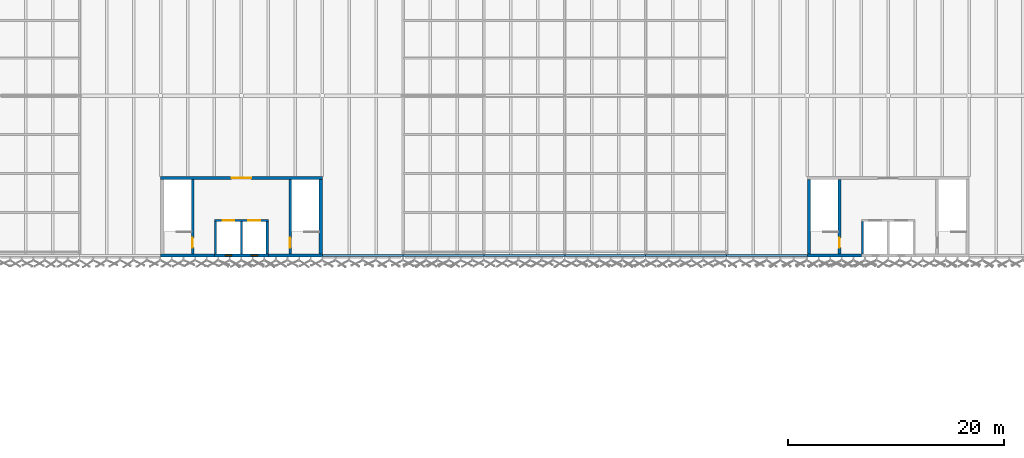
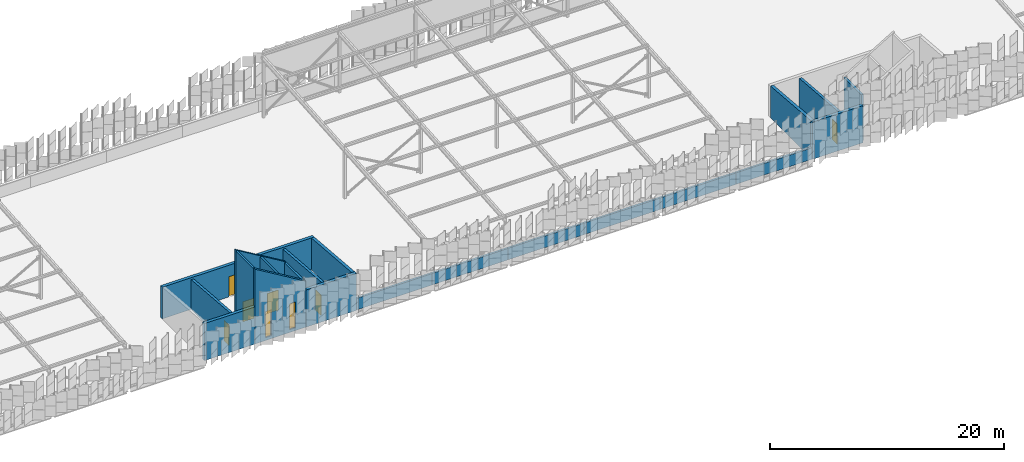
# One storey, part 118 of 483: 21 walls, 6 doors, 2 windows, 8 openings.
"""IFC4 building model written with IfcOpenShell, lengths in metres."""

from ifc_helpers import new_model, si_unit, direction, frame, frame_2d, origin, place, context, subcontext, project, spatial, polyline, rectangle, outline, extrude, material, layer, layer_set, type_object, element, fill, save


model = new_model("IFC4")

# Units and contexts
model_context = context("Model", 3, precision=1e-05, world=origin(), true_north=direction((0.0, 1.0)))
body_context = subcontext(model_context, "Body", "Model", "MODEL_VIEW")
ifc_project = project(units=[si_unit("LENGTHUNIT", "METRE"), si_unit("AREAUNIT", "SQUARE_METRE"), si_unit("VOLUMEUNIT", "CUBIC_METRE"), si_unit("PLANEANGLEUNIT", "RADIAN"), si_unit("MASSUNIT", "GRAM", prefix="KILO")], contexts=[model_context])

# Site, building, storey
site_placement = place(None, origin())
site = spatial("IfcSite", under=ifc_project, at=site_placement, CompositionType="ELEMENT")
building_placement = place(site_placement, origin())
building = spatial("IfcBuilding", under=site, at=building_placement, Name="Parallax Yard Mobility Hub", CompositionType="ELEMENT")
storey_placement = place(building_placement, frame((0.0, 0.0, 13.199951171875)))
storey = spatial("IfcBuildingStorey", under=building, at=storey_placement, Name="L04", CompositionType="ELEMENT", Elevation=13.199951171875)

# Wall, opening, door
ifc_material_1 = material(Name="Concrete fc' 35 MPa", Category="concrete")
ifc_layer_1 = layer(ifc_material_1, 0.300048828125)
ifc_layer_set_1 = layer_set([ifc_layer_1], Name="Concrete fc' 35 MPa core wall 300")
wall_type_1 = type_object("IfcWallType", Name="Concrete fc' 35 MPa core wall 300", PredefinedType="SHEAR", material=ifc_layer_set_1)
wall_1_placement = place(storey_placement, frame((67.5, 119.85009765625, 0.0), z_axis=(0.0, 0.0, 1.0), x_axis=(1.0, 0.0, 0.0)))
wall_1 = element("IfcWall", 1, at=wall_1_placement, inside=storey, type_object=wall_type_1, Name="Core C-N1 entry wall level L04", PredefinedType="SHEAR", context=body_context, shape_type="SweptSolid", body=[
    extrude(rectangle(XDim=15.0, YDim=0.300048828125, at=frame_2d((7.5, 0.0))), origin(), (0.0, 0.0, 1.0), 3.300048828125),
])
opening_1_placement = place(wall_1_placement, frame((6.60009765625, 0.0, 0.0)))
opening_1 = element("IfcOpeningElement", 2, at=opening_1_placement, cuts=wall_1, Name="Opening L04-D709", PredefinedType="OPENING", context=body_context, shape_type="SweptSolid", body=[
    extrude(rectangle(XDim=1.800048828125, YDim=2.10009765625, at=frame_2d((0.89990234375, 1.050048828125))), frame((0.0, 0.16015625, 0.0), z_axis=(0.0, -1.0, 0.0), x_axis=(1.0, 0.0, 0.0)), (0.0, 0.0, 1.0), 0.320068359375),
])
ifc_material_2 = material(Name="Hollow metal steel door and frame", Category="steel")
door_type_1 = type_object("IfcDoorType", Name="Core double door 1800 x 2100 FD90", OperationType="NOTDEFINED", PredefinedType="DOOR", material=ifc_material_2)
door_1_placement = place(opening_1_placement, origin())
door_1 = element("IfcDoor", 3, at=door_1_placement, inside=storey, type_object=door_type_1, Name="Lift lobby door L04-D709, core C-N1 level L04", OperationType="DOUBLE_DOOR_SINGLE_SWING", OverallHeight=2.10009765625, OverallWidth=1.800048828125, PredefinedType="DOOR", context=body_context, shape_type="SweptSolid", body=[
    extrude(rectangle(XDim=1.800048828125, YDim=2.10009765625, at=frame_2d((0.89990234375, 1.050048828125))), frame((0.0, 0.02490234375, 0.0), z_axis=(0.0, -1.0, 0.0), x_axis=(1.0, 0.0, 0.0)), (0.0, 0.0, 1.0), 0.050048828125),
])
fill(opening_1, door_1)

# Wall
wall_2_placement = place(storey_placement, frame((82.5, 112.64990234375, 0.0), z_axis=(0.0, 0.0, 1.0), x_axis=(-1.0, 0.0, 0.0)))
element("IfcWall", 4, at=wall_2_placement, inside=storey, type_object=wall_type_1, Name="Core C-N1 back wall part 1 level L04", PredefinedType="SHEAR", context=body_context, shape_type="SweptSolid", body=[
    extrude(rectangle(XDim=5.0, YDim=0.300048828125, at=frame_2d((2.5, 0.0))), origin(), (0.0, 0.0, 1.0), 3.875),
])

# Wall, openings, windows
wall_3_placement = place(storey_placement, frame((77.5, 112.64990234375, 0.0), z_axis=(0.0, 0.0, 1.0), x_axis=(-1.0, 0.0, 0.0)))
wall_3 = element("IfcWall", 5, at=wall_3_placement, inside=storey, type_object=wall_type_1, Name="Core C-N1 back wall part 2 level L04", PredefinedType="SHEAR", context=body_context, shape_type="SweptSolid", body=[
    extrude(outline(polyline([(0.0, 0.0), (5.0, 0.0), (5.0, 7.800048828125), (0.0, 4.800048828125), (0.0, 0.0)])), frame((0.0, 0.14990234375, 0.0), z_axis=(0.0, -1.0, 0.0), x_axis=(1.0, 0.0, 0.0)), (0.0, 0.0, 1.0), 0.300048828125),
])
opening_2_placement = place(wall_3_placement, frame((1.0, 0.0, 0.300048828125)))
opening_2 = element("IfcOpeningElement", 6, at=opening_2_placement, cuts=wall_3, Name="Opening CW-S1", PredefinedType="OPENING", context=body_context, shape_type="SweptSolid", body=[
    extrude(rectangle(XDim=0.60009765625, YDim=2.699951171875, at=frame_2d((0.300048828125, 1.35009765625))), frame((0.0, 0.16015625, 0.0), z_axis=(0.0, -1.0, 0.0), x_axis=(1.0, 0.0, 0.0)), (0.0, 0.0, 1.0), 0.320068359375),
])
opening_3_placement = place(wall_3_placement, frame((3.39990234375, 0.0, 0.300048828125)))
opening_3 = element("IfcOpeningElement", 7, at=opening_3_placement, cuts=wall_3, Name="Opening CW-S1", PredefinedType="OPENING", context=body_context, shape_type="SweptSolid", body=[
    extrude(rectangle(XDim=0.60009765625, YDim=2.699951171875, at=frame_2d((0.300048828125, 1.35009765625))), frame((0.0, 0.16015625, 0.0), z_axis=(0.0, -1.0, 0.0), x_axis=(1.0, 0.0, 0.0)), (0.0, 0.0, 1.0), 0.320068359375),
])
ifc_material_3 = material(Name="Fire-resisting glazing in a steel frame", Category="steel")
window_type = type_object("IfcWindowType", Name="Core slot window 600 x 2700", PartitioningType="SINGLE_PANEL", PredefinedType="WINDOW", material=ifc_material_3)
window_1_placement = place(opening_2_placement, origin())
window_1 = element("IfcWindow", 8, at=window_1_placement, inside=storey, type_object=window_type, Name="Glazed slot 1, core C-N1 level L04", OverallHeight=2.699951171875, OverallWidth=0.60009765625, PartitioningType="SINGLE_PANEL", PredefinedType="WINDOW", context=body_context, shape_type="SweptSolid", body=[
    extrude(rectangle(XDim=0.60009765625, YDim=2.699951171875, at=frame_2d((0.300048828125, 1.35009765625))), frame((0.0, 0.030029296875, 0.0), z_axis=(0.0, -1.0, 0.0), x_axis=(1.0, 0.0, 0.0)), (0.0, 0.0, 1.0), 0.06005859375),
])
fill(opening_2, window_1)
window_2_placement = place(opening_3_placement, origin())
window_2 = element("IfcWindow", 9, at=window_2_placement, inside=storey, type_object=window_type, Name="Glazed slot 2, core C-N1 level L04", OverallHeight=2.699951171875, OverallWidth=0.60009765625, PartitioningType="SINGLE_PANEL", PredefinedType="WINDOW", context=body_context, shape_type="SweptSolid", body=[
    extrude(rectangle(XDim=0.60009765625, YDim=2.699951171875, at=frame_2d((0.300048828125, 1.35009765625))), frame((0.0, 0.030029296875, 0.0), z_axis=(0.0, -1.0, 0.0), x_axis=(1.0, 0.0, 0.0)), (0.0, 0.0, 1.0), 0.06005859375),
])
fill(opening_3, window_2)

# Walls
wall_4_placement = place(storey_placement, frame((72.5, 112.64990234375, 0.0), z_axis=(0.0, 0.0, 1.0), x_axis=(-1.0, 0.0, 0.0)))
element("IfcWall", 10, at=wall_4_placement, inside=storey, type_object=wall_type_1, Name="Core C-N1 back wall part 3 level L04", PredefinedType="SHEAR", context=body_context, shape_type="SweptSolid", body=[
    extrude(rectangle(XDim=5.0, YDim=0.300048828125, at=frame_2d((2.5, 0.0))), origin(), (0.0, 0.0, 1.0), 3.875),
])
wall_5_placement = place(storey_placement, frame((82.35009765625, 119.699951171875, 0.0), z_axis=(0.0, 0.0, 1.0), x_axis=(0.0, -1.0, 0.0)))
element("IfcWall", 11, at=wall_5_placement, inside=storey, type_object=wall_type_1, Name="Core C-N1 west-side end wall level L04", PredefinedType="SHEAR", context=body_context, shape_type="SweptSolid", body=[
    extrude(outline(polyline([(0.0, 0.0), (6.89990234375, 0.0), (6.89990234375, 3.875), (0.0, 3.300048828125), (0.0, 0.0)])), frame((0.0, 0.14990234375, 0.0), z_axis=(0.0, -1.0, 0.0), x_axis=(1.0, 0.0, 0.0)), (0.0, 0.0, 1.0), 0.300048828125),
])
wall_6_placement = place(storey_placement, frame((132.5, 112.64990234375, 0.0), z_axis=(0.0, 0.0, 1.0), x_axis=(-1.0, 0.0, 0.0)))
element("IfcWall", 12, at=wall_6_placement, inside=storey, type_object=wall_type_1, Name="Core C-N2 back wall part 3 level L04", PredefinedType="SHEAR", context=body_context, shape_type="SweptSolid", body=[
    extrude(rectangle(XDim=5.0, YDim=0.300048828125, at=frame_2d((2.5, 0.0))), origin(), (0.0, 0.0, 1.0), 3.875),
])
wall_7_placement = place(storey_placement, frame((127.64990234375, 119.699951171875, 0.0), z_axis=(0.0, 0.0, 1.0), x_axis=(0.0, -1.0, 0.0)))
element("IfcWall", 13, at=wall_7_placement, inside=storey, type_object=wall_type_1, Name="Core C-N2 east-side end wall level L04", PredefinedType="SHEAR", context=body_context, shape_type="SweptSolid", body=[
    extrude(outline(polyline([(0.0, 0.0), (6.89990234375, 0.0), (6.89990234375, 3.875), (0.0, 3.300048828125), (0.0, 0.0)])), frame((0.0, 0.14990234375, 0.0), z_axis=(0.0, -1.0, 0.0), x_axis=(1.0, 0.0, 0.0)), (0.0, 0.0, 1.0), 0.300048828125),
])

# Wall, openings, doors
ifc_layer_2 = layer(ifc_material_1, 0.199951171875)
ifc_layer_set_2 = layer_set([ifc_layer_2], Name="Concrete fc' 35 MPa internal core wall 200")
wall_type_2 = type_object("IfcWallType", Name="Concrete fc' 35 MPa internal core wall 200", PredefinedType="STANDARD", material=ifc_layer_set_2)
wall_8_placement = place(storey_placement, frame((77.5, 115.89990234375, 0.0), z_axis=(0.0, 0.0, 1.0), x_axis=(-1.0, 0.0, 0.0)))
wall_8 = element("IfcWall", 14, at=wall_8_placement, inside=storey, type_object=wall_type_2, Name="Core C-N1 lift front 2 part 2 level L04", PredefinedType="STANDARD", context=body_context, shape_type="SweptSolid", body=[
    extrude(outline(polyline([(0.0, 0.0), (5.0, 0.0), (5.0, 7.800048828125), (0.0, 4.800048828125), (0.0, 0.0)])), frame((0.0, 0.10009765625, 0.0), z_axis=(0.0, -1.0, 0.0), x_axis=(1.0, 0.0, 0.0)), (0.0, 0.0, 1.0), 0.199951171875),
])
opening_4_placement = place(wall_8_placement, frame((0.75, 0.0, 0.0)))
opening_4 = element("IfcOpeningElement", 15, at=opening_4_placement, cuts=wall_8, Name="Opening L04-D712", PredefinedType="OPENING", context=body_context, shape_type="SweptSolid", body=[
    extrude(rectangle(XDim=1.10009765625, YDim=2.10009765625, at=frame_2d((0.550048828125, 1.050048828125))), frame((0.0, 0.10986328125, 0.0), z_axis=(0.0, -1.0, 0.0), x_axis=(1.0, 0.0, 0.0)), (0.0, 0.0, 1.0), 0.219970703125),
])
opening_5_placement = place(wall_8_placement, frame((3.14990234375, 0.0, 0.0)))
opening_5 = element("IfcOpeningElement", 16, at=opening_5_placement, cuts=wall_8, Name="Opening L04-D713", PredefinedType="OPENING", context=body_context, shape_type="SweptSolid", body=[
    extrude(rectangle(XDim=1.10009765625, YDim=2.10009765625, at=frame_2d((0.550048828125, 1.050048828125))), frame((0.0, 0.10986328125, 0.0), z_axis=(0.0, -1.0, 0.0), x_axis=(1.0, 0.0, 0.0)), (0.0, 0.0, 1.0), 0.219970703125),
])
ifc_material_4 = material(Name="Stainless steel sliding door and frame", Category="steel")
door_type_2 = type_object("IfcDoorType", Name="Lift landing door 1100 x 2100 FD90", OperationType="DOUBLE_DOOR_SLIDING", PredefinedType="DOOR", material=ifc_material_4)
door_2_placement = place(opening_4_placement, origin())
door_2 = element("IfcDoor", 17, at=door_2_placement, inside=storey, type_object=door_type_2, Name="Lift landing door L04-D712, core C-N1 level L04", OperationType="DOUBLE_DOOR_SLIDING", OverallHeight=2.10009765625, OverallWidth=1.10009765625, PredefinedType="DOOR", context=body_context, shape_type="SweptSolid", body=[
    extrude(rectangle(XDim=1.10009765625, YDim=2.10009765625, at=frame_2d((0.550048828125, 1.050048828125))), frame((0.0, 0.02490234375, 0.0), z_axis=(0.0, -1.0, 0.0), x_axis=(1.0, 0.0, 0.0)), (0.0, 0.0, 1.0), 0.050048828125),
])
fill(opening_4, door_2)
door_3_placement = place(opening_5_placement, origin())
door_3 = element("IfcDoor", 18, at=door_3_placement, inside=storey, type_object=door_type_2, Name="Lift landing door L04-D713, core C-N1 level L04", OperationType="DOUBLE_DOOR_SLIDING", OverallHeight=2.10009765625, OverallWidth=1.10009765625, PredefinedType="DOOR", context=body_context, shape_type="SweptSolid", body=[
    extrude(rectangle(XDim=1.10009765625, YDim=2.10009765625, at=frame_2d((0.550048828125, 1.050048828125))), frame((0.0, 0.02490234375, 0.0), z_axis=(0.0, -1.0, 0.0), x_axis=(1.0, 0.0, 0.0)), (0.0, 0.0, 1.0), 0.050048828125),
])
fill(opening_5, door_3)

# Walls
wall_9_placement = place(storey_placement, frame((77.39990234375, 115.800048828125, 0.0), z_axis=(0.0, 0.0, 1.0), x_axis=(0.0, -1.0, 0.0)))
element("IfcWall", 19, at=wall_9_placement, inside=storey, type_object=wall_type_2, Name="Core C-N1 lift wall 1 part 1 level L04", PredefinedType="STANDARD", context=body_context, shape_type="SweptSolid", body=[
    extrude(rectangle(XDim=3.0, YDim=0.199951171875, at=frame_2d((1.5, 0.0))), origin(), (0.0, 0.0, 1.0), 4.800048828125),
])
wall_10_placement = place(storey_placement, frame((75.0, 115.800048828125, 0.0), z_axis=(0.0, 0.0, 1.0), x_axis=(0.0, -1.0, 0.0)))
element("IfcWall", 20, at=wall_10_placement, inside=storey, type_object=wall_type_2, Name="Core C-N1 lift wall 2 part 2 level L04", PredefinedType="STANDARD", context=body_context, shape_type="SweptSolid", body=[
    extrude(rectangle(XDim=3.0, YDim=0.199951171875, at=frame_2d((1.5, 0.0))), origin(), (0.0, 0.0, 1.0), 6.239990234375),
])
wall_11_placement = place(storey_placement, frame((72.60009765625, 115.800048828125, 0.0), z_axis=(0.0, 0.0, 1.0), x_axis=(0.0, -1.0, 0.0)))
element("IfcWall", 21, at=wall_11_placement, inside=storey, type_object=wall_type_2, Name="Core C-N1 lift wall 3 part 3 level L04", PredefinedType="STANDARD", context=body_context, shape_type="SweptSolid", body=[
    extrude(rectangle(XDim=3.0, YDim=0.199951171875, at=frame_2d((1.5, 0.0))), origin(), (0.0, 0.0, 1.0), 7.679931640625),
])
wall_12_placement = place(storey_placement, frame((132.60009765625, 115.800048828125, 0.0), z_axis=(0.0, 0.0, 1.0), x_axis=(0.0, -1.0, 0.0)))
element("IfcWall", 22, at=wall_12_placement, inside=storey, type_object=wall_type_2, Name="Core C-N2 lift wall 3 part 3 level L04", PredefinedType="STANDARD", context=body_context, shape_type="SweptSolid", body=[
    extrude(rectangle(XDim=3.0, YDim=0.199951171875, at=frame_2d((1.5, 0.0))), origin(), (0.0, 0.0, 1.0), 4.800048828125),
])

# Wall, opening, door
ifc_layer_3 = layer(ifc_material_1, 0.25)
ifc_layer_set_3 = layer_set([ifc_layer_3], Name="Concrete fc' 35 MPa stair enclosure wall 250")
wall_type_3 = type_object("IfcWallType", Name="Concrete fc' 35 MPa stair enclosure wall 250", PredefinedType="STANDARD", material=ifc_layer_set_3)
wall_13_placement = place(storey_placement, frame((79.52490234375, 119.699951171875, 0.0), z_axis=(0.0, 0.0, 1.0), x_axis=(0.0, -1.0, 0.0)))
wall_13 = element("IfcWall", 23, at=wall_13_placement, inside=storey, type_object=wall_type_3, Name="Core C-N1 stair 1 partition level L04", PredefinedType="STANDARD", context=body_context, shape_type="SweptSolid", body=[
    extrude(outline(polyline([(0.0, 0.0), (6.89990234375, 0.0), (6.89990234375, 3.675048828125), (0.0, 3.10009765625), (0.0, 0.0)])), frame((0.0, 0.125, 0.0), z_axis=(0.0, -1.0, 0.0), x_axis=(1.0, 0.0, 0.0)), (0.0, 0.0, 1.0), 0.25),
])
opening_6_placement = place(wall_13_placement, frame((5.39990234375, 0.0, 0.0)))
opening_6 = element("IfcOpeningElement", 24, at=opening_6_placement, cuts=wall_13, Name="Opening L04-D710", PredefinedType="OPENING", context=body_context, shape_type="SweptSolid", body=[
    extrude(rectangle(XDim=0.89990234375, YDim=2.10009765625, at=frame_2d((0.449951171875, 1.050048828125))), frame((0.0, 0.135009765625, 0.0), z_axis=(0.0, -1.0, 0.0), x_axis=(1.0, 0.0, 0.0)), (0.0, 0.0, 1.0), 0.27001953125),
])
door_type_3 = type_object("IfcDoorType", Name="Core door 900 x 2100 FD90", OperationType="NOTDEFINED", PredefinedType="DOOR", material=ifc_material_2)
door_4_placement = place(opening_6_placement, origin())
door_4 = element("IfcDoor", 25, at=door_4_placement, inside=storey, type_object=door_type_3, Name="Stair lobby door L04-D710, core C-N1 level L04", OperationType="SINGLE_SWING_LEFT", OverallHeight=2.10009765625, OverallWidth=0.89990234375, PredefinedType="DOOR", context=body_context, shape_type="SweptSolid", body=[
    extrude(rectangle(XDim=0.89990234375, YDim=2.10009765625, at=frame_2d((0.449951171875, 1.050048828125))), frame((0.0, 0.02490234375, 0.0), z_axis=(0.0, -1.0, 0.0), x_axis=(1.0, 0.0, 0.0)), (0.0, 0.0, 1.0), 0.050048828125),
])
fill(opening_6, door_4)

wall_14_placement = place(storey_placement, frame((70.47509765625, 112.800048828125, 0.0), z_axis=(0.0, 0.0, 1.0), x_axis=(0.0, 1.0, 0.0)))
wall_14 = element("IfcWall", 26, at=wall_14_placement, inside=storey, type_object=wall_type_3, Name="Core C-N1 stair 2 partition level L04", PredefinedType="STANDARD", context=body_context, shape_type="SweptSolid", body=[
    extrude(outline(polyline([(0.0, 0.0), (6.89990234375, 0.0), (6.89990234375, 3.10009765625), (0.0, 3.675048828125), (0.0, 0.0)])), frame((0.0, 0.125, 0.0), z_axis=(0.0, -1.0, 0.0), x_axis=(1.0, 0.0, 0.0)), (0.0, 0.0, 1.0), 0.25),
])
opening_7_placement = place(wall_14_placement, frame((0.60009765625, 0.0, 0.0)))
opening_7 = element("IfcOpeningElement", 27, at=opening_7_placement, cuts=wall_14, Name="Opening L04-D711", PredefinedType="OPENING", context=body_context, shape_type="SweptSolid", body=[
    extrude(rectangle(XDim=0.89990234375, YDim=2.10009765625, at=frame_2d((0.449951171875, 1.050048828125))), frame((0.0, 0.135009765625, 0.0), z_axis=(0.0, -1.0, 0.0), x_axis=(1.0, 0.0, 0.0)), (0.0, 0.0, 1.0), 0.27001953125),
])
door_5_placement = place(opening_7_placement, origin())
door_5 = element("IfcDoor", 28, at=door_5_placement, inside=storey, type_object=door_type_3, Name="Stair lobby door L04-D711, core C-N1 level L04", OperationType="SINGLE_SWING_RIGHT", OverallHeight=2.10009765625, OverallWidth=0.89990234375, PredefinedType="DOOR", context=body_context, shape_type="SweptSolid", body=[
    extrude(rectangle(XDim=0.89990234375, YDim=2.10009765625, at=frame_2d((0.449951171875, 1.050048828125))), frame((0.0, 0.02490234375, 0.0), z_axis=(0.0, -1.0, 0.0), x_axis=(1.0, 0.0, 0.0)), (0.0, 0.0, 1.0), 0.050048828125),
])
fill(opening_7, door_5)

wall_15_placement = place(storey_placement, frame((130.47509765625, 112.800048828125, 0.0), z_axis=(0.0, 0.0, 1.0), x_axis=(0.0, 1.0, 0.0)))
wall_15 = element("IfcWall", 29, at=wall_15_placement, inside=storey, type_object=wall_type_3, Name="Core C-N2 stair 2 partition level L04", PredefinedType="STANDARD", context=body_context, shape_type="SweptSolid", body=[
    extrude(outline(polyline([(0.0, 0.0), (6.89990234375, 0.0), (6.89990234375, 3.10009765625), (0.0, 3.675048828125), (0.0, 0.0)])), frame((0.0, 0.125, 0.0), z_axis=(0.0, -1.0, 0.0), x_axis=(1.0, 0.0, 0.0)), (0.0, 0.0, 1.0), 0.25),
])
opening_8_placement = place(wall_15_placement, frame((0.60009765625, 0.0, 0.0)))
opening_8 = element("IfcOpeningElement", 30, at=opening_8_placement, cuts=wall_15, Name="Opening L04-D716", PredefinedType="OPENING", context=body_context, shape_type="SweptSolid", body=[
    extrude(rectangle(XDim=0.89990234375, YDim=2.10009765625, at=frame_2d((0.449951171875, 1.050048828125))), frame((0.0, 0.135009765625, 0.0), z_axis=(0.0, -1.0, 0.0), x_axis=(1.0, 0.0, 0.0)), (0.0, 0.0, 1.0), 0.27001953125),
])
door_6_placement = place(opening_8_placement, origin())
door_6 = element("IfcDoor", 31, at=door_6_placement, inside=storey, type_object=door_type_3, Name="Stair lobby door L04-D716, core C-N2 level L04", OperationType="SINGLE_SWING_RIGHT", OverallHeight=2.10009765625, OverallWidth=0.89990234375, PredefinedType="DOOR", context=body_context, shape_type="SweptSolid", body=[
    extrude(rectangle(XDim=0.89990234375, YDim=2.10009765625, at=frame_2d((0.449951171875, 1.050048828125))), frame((0.0, 0.02490234375, 0.0), z_axis=(0.0, -1.0, 0.0), x_axis=(1.0, 0.0, 0.0)), (0.0, 0.0, 1.0), 0.050048828125),
])
fill(opening_8, door_6)

# Walls
ifc_layer_4 = layer(ifc_material_1, 0.199951171875)
ifc_layer_set_4 = layer_set([ifc_layer_4], Name="Roof parapet wall, Concrete fc' 35 MPa precast, 200")
wall_type_4 = type_object("IfcWallType", Name="Roof parapet wall, Concrete fc' 35 MPa precast, 200", PredefinedType="SOLIDWALL", material=ifc_layer_set_4)
wall_16_placement = place(storey_placement, frame((82.5048828125, 112.64599609375, 0.0), z_axis=(0.0, 0.0, 1.0), x_axis=(1.0, 0.0, 0.0)))
element("IfcWall", 32, at=wall_16_placement, inside=storey, type_object=wall_type_4, Name="Roof parapet wall bay 7 level L04", PredefinedType="SOLIDWALL", context=body_context, shape_type="SweptSolid", body=[
    extrude(rectangle(XDim=7.4931640625, YDim=0.199951171875, at=frame_2d((3.74658203125, 0.0))), origin(), (0.0, 0.0, 1.0), 1.199951171875),
])
for number, where, z_axis, x_axis, name in (
    (33, (90.001953125, 112.64599609375, 0.0), (0.0, 0.0, 1.0), (1.0, 0.0, 0.0), "Roof parapet wall bay 8 level L04"),
    (34, (97.501953125, 112.64599609375, 0.0), (0.0, 0.0, 1.0), (1.0, 0.0, 0.0), "Roof parapet wall bay 9 level L04"),
    (35, (105.001953125, 112.64599609375, 0.0), (0.0, 0.0, 1.0), (1.0, 0.0, 0.0), "Roof parapet wall bay 10 level L04"),
    (36, (112.501953125, 112.64599609375, 0.0), (0.0, 0.0, 1.0), (1.0, 0.0, 0.0), "Roof parapet wall bay 11 level L04"),
):
    element("IfcWall", number, at=place(storey_placement, frame(where, z_axis=z_axis, x_axis=x_axis)), inside=storey, type_object=wall_type_4, Name=name, PredefinedType="SOLIDWALL", context=body_context, shape_type="SweptSolid", body=[
        extrude(rectangle(XDim=7.49609375, YDim=0.199951171875, at=frame_2d((3.748046875, 0.0))), origin(), (0.0, 0.0, 1.0), 1.199951171875),
    ])
wall_17_placement = place(storey_placement, frame((120.001953125, 112.64599609375, 0.0), z_axis=(0.0, 0.0, 1.0), x_axis=(1.0, 0.0, 0.0)))
element("IfcWall", 37, at=wall_17_placement, inside=storey, type_object=wall_type_4, Name="Roof parapet wall bay 12 level L04", PredefinedType="SOLIDWALL", context=body_context, shape_type="SweptSolid", body=[
    extrude(rectangle(XDim=7.4931640625, YDim=0.199951171875, at=frame_2d((3.74658203125, 0.0))), origin(), (0.0, 0.0, 1.0), 1.199951171875),
])

save(model, "model.ifc")
